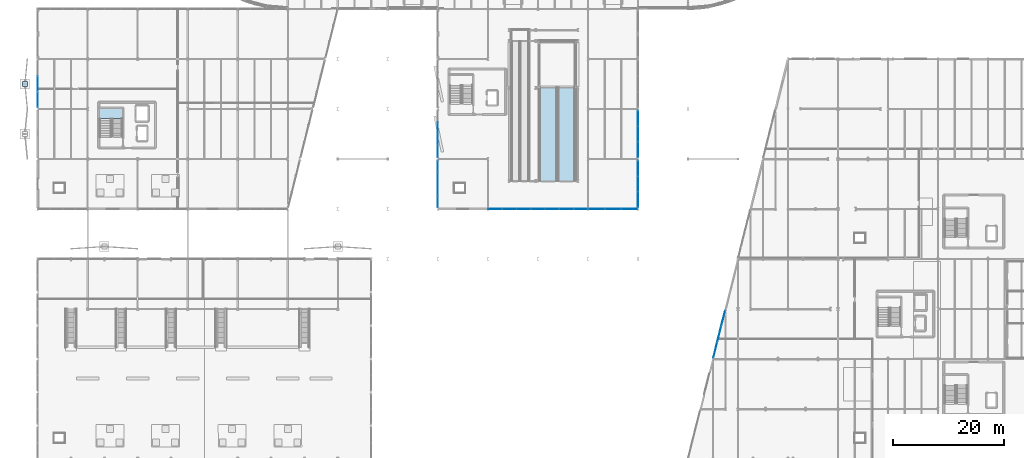
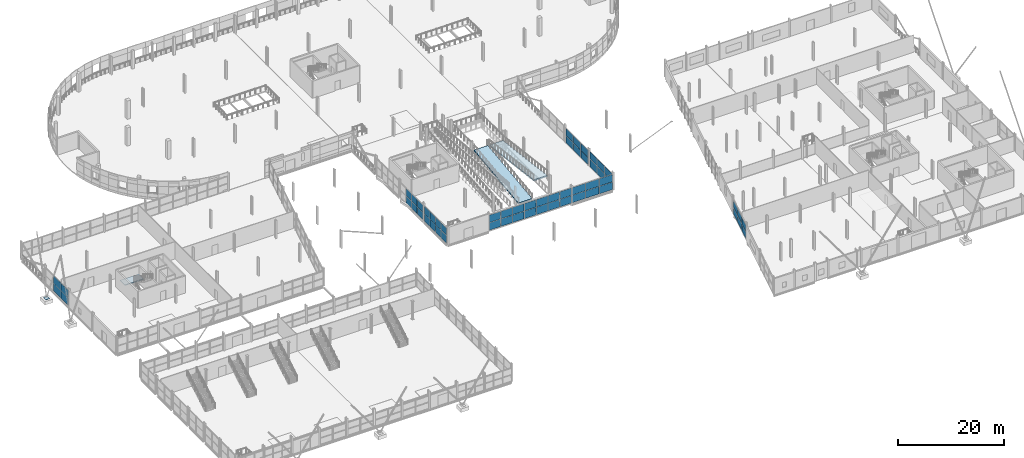
# One storey, part 104 of 140: 57 plates, 3 slabs, 9 elements without a shape of their own.
"""IFC4 building model written with IfcOpenShell, lengths in metres."""

from ifc_helpers import new_model, si_unit, direction, frame, origin, origin_2d, place, context, subcontext, project, spatial, polyline, rectangle, outline, extrude, material, layer, layer_set, type_object, element, aggregate, save


model = new_model("IFC4")

# Units and contexts
model_context = context("Model", 3, precision=1e-05, world=origin(), true_north=direction((0.0, 1.0)))
body_context = subcontext(model_context, "Body", "Model", "MODEL_VIEW")
ifc_project = project(units=[si_unit("LENGTHUNIT", "METRE"), si_unit("AREAUNIT", "SQUARE_METRE"), si_unit("VOLUMEUNIT", "CUBIC_METRE"), si_unit("PLANEANGLEUNIT", "RADIAN"), si_unit("MASSUNIT", "GRAM", prefix="KILO")], contexts=[model_context])

# Site, building, storey
site_placement = place(None, origin())
site = spatial("IfcSite", under=ifc_project, at=site_placement, CompositionType="ELEMENT")
building_placement = place(site_placement, origin())
building = spatial("IfcBuilding", under=site, at=building_placement, Name="Deido Ridge Mobility Hub", CompositionType="ELEMENT")
storey_placement = place(building_placement, origin())
storey = spatial("IfcBuildingStorey", under=building, at=storey_placement, Name="L00", CompositionType="ELEMENT", Elevation=0.0)

# Curtain wall, plates
ifc_material_1 = material(Name="Anodised aluminium EN AW-6063 T6", Category="aluminium")
ifc_layer_1 = layer(ifc_material_1, 0.14404296875, Name="Anodised aluminium EN AW-6063 T6")
ifc_layer_set_1 = layer_set([ifc_layer_1], Name="Anodised aluminium EN AW-6063 T6")
curtain_wall_type_1 = type_object("IfcCurtainWallType", Name="CW-GS-2", PredefinedType="USERDEFINED", material=ifc_layer_set_1)
curtain_wall_1_placement = place(storey_placement, origin())
curtain_wall_1 = element("IfcCurtainWall", 1, at=curtain_wall_1_placement, inside=storey, type_object=curtain_wall_type_1, Name="Unitised curtain wall GS2", ObjectType="GLAZED SCREEN", PredefinedType="USERDEFINED")
ifc_material_2 = material(Name="Laminated solar-control low-E glass", Category="glass")
ifc_layer_2 = layer(ifc_material_2, 0.029052734375, Name="Laminated solar-control low-E glass")
ifc_layer_set_2 = layer_set([ifc_layer_2], Name="Laminated solar-control low-E glass")
plate_type_1 = type_object("IfcPlateType", Name="PLT-CWP-29", PredefinedType="CURTAIN_PANEL", material=ifc_layer_set_2)
plate_1_placement = place(storey_placement, frame((82.3056640625, 45.0, 0.05517578125), z_axis=(0.0, 0.0, 1.0), x_axis=(1.0, 0.0, 0.0)))
plate_1 = element("IfcPlate", 2, at=plate_1_placement, type_object=plate_type_1, Name="GS2 panel 1.1", PredefinedType="CURTAIN_PANEL", context=body_context, shape_type="SweptSolid", body=[
    extrude(rectangle(XDim=2.48681640625, YDim=0.029052734375, at=origin_2d()), origin(), (0.0, 0.0, 1.0), 1.717529296875),
])
plate_2_placement = place(storey_placement, frame((82.3056640625, 45.0, 1.82763671875), z_axis=(0.0, 0.0, 1.0), x_axis=(1.0, 0.0, 0.0)))
plate_2 = element("IfcPlate", 3, at=plate_2_placement, type_object=plate_type_1, Name="GS2 panel 1.2", PredefinedType="CURTAIN_PANEL", context=body_context, shape_type="SweptSolid", body=[
    extrude(rectangle(XDim=2.48681640625, YDim=0.029052734375, at=origin_2d()), origin(), (0.0, 0.0, 1.0), 1.717529296875),
])
plate_3_placement = place(storey_placement, frame((84.861328125, 45.0, 0.05517578125), z_axis=(0.0, 0.0, 1.0), x_axis=(1.0, 0.0, 0.0)))
plate_3 = element("IfcPlate", 4, at=plate_3_placement, type_object=plate_type_1, Name="GS2 panel 2.1", PredefinedType="CURTAIN_PANEL", context=body_context, shape_type="SweptSolid", body=[
    extrude(rectangle(XDim=2.514404296875, YDim=0.029052734375, at=origin_2d()), origin(), (0.0, 0.0, 1.0), 1.717529296875),
])
plate_4_placement = place(storey_placement, frame((84.861328125, 45.0, 1.82763671875), z_axis=(0.0, 0.0, 1.0), x_axis=(1.0, 0.0, 0.0)))
plate_4 = element("IfcPlate", 5, at=plate_4_placement, type_object=plate_type_1, Name="GS2 panel 2.2", PredefinedType="CURTAIN_PANEL", context=body_context, shape_type="SweptSolid", body=[
    extrude(rectangle(XDim=2.514404296875, YDim=0.029052734375, at=origin_2d()), origin(), (0.0, 0.0, 1.0), 1.717529296875),
])
plate_5_placement = place(storey_placement, frame((87.4306640625, 45.0, 0.05517578125), z_axis=(0.0, 0.0, 1.0), x_axis=(1.0, 0.0, 0.0)))
plate_5 = element("IfcPlate", 6, at=plate_5_placement, type_object=plate_type_1, Name="GS2 panel 3.1", PredefinedType="CURTAIN_PANEL", context=body_context, shape_type="SweptSolid", body=[
    extrude(rectangle(XDim=2.514404296875, YDim=0.029052734375, at=origin_2d()), origin(), (0.0, 0.0, 1.0), 1.717529296875),
])
plate_6_placement = place(storey_placement, frame((87.4306640625, 45.0, 1.82763671875), z_axis=(0.0, 0.0, 1.0), x_axis=(1.0, 0.0, 0.0)))
plate_6 = element("IfcPlate", 7, at=plate_6_placement, type_object=plate_type_1, Name="GS2 panel 3.2", PredefinedType="CURTAIN_PANEL", context=body_context, shape_type="SweptSolid", body=[
    extrude(rectangle(XDim=2.514404296875, YDim=0.029052734375, at=origin_2d()), origin(), (0.0, 0.0, 1.0), 1.717529296875),
])
plate_7_placement = place(storey_placement, frame((90.0, 45.0, 0.05517578125), z_axis=(0.0, 0.0, 1.0), x_axis=(1.0, 0.0, 0.0)))
plate_7 = element("IfcPlate", 8, at=plate_7_placement, type_object=plate_type_1, Name="GS2 panel 4.1", PredefinedType="CURTAIN_PANEL", context=body_context, shape_type="SweptSolid", body=[
    extrude(rectangle(XDim=2.514404296875, YDim=0.029052734375, at=origin_2d()), origin(), (0.0, 0.0, 1.0), 1.717529296875),
])
plate_8_placement = place(storey_placement, frame((90.0, 45.0, 1.82763671875), z_axis=(0.0, 0.0, 1.0), x_axis=(1.0, 0.0, 0.0)))
plate_8 = element("IfcPlate", 9, at=plate_8_placement, type_object=plate_type_1, Name="GS2 panel 4.2", PredefinedType="CURTAIN_PANEL", context=body_context, shape_type="SweptSolid", body=[
    extrude(rectangle(XDim=2.514404296875, YDim=0.029052734375, at=origin_2d()), origin(), (0.0, 0.0, 1.0), 1.717529296875),
])
plate_9_placement = place(storey_placement, frame((92.5693359375, 45.0, 0.05517578125), z_axis=(0.0, 0.0, 1.0), x_axis=(1.0, 0.0, 0.0)))
plate_9 = element("IfcPlate", 10, at=plate_9_placement, type_object=plate_type_1, Name="GS2 panel 5.1", PredefinedType="CURTAIN_PANEL", context=body_context, shape_type="SweptSolid", body=[
    extrude(rectangle(XDim=2.514404296875, YDim=0.029052734375, at=origin_2d()), origin(), (0.0, 0.0, 1.0), 1.717529296875),
])
plate_10_placement = place(storey_placement, frame((92.5693359375, 45.0, 1.82763671875), z_axis=(0.0, 0.0, 1.0), x_axis=(1.0, 0.0, 0.0)))
plate_10 = element("IfcPlate", 11, at=plate_10_placement, type_object=plate_type_1, Name="GS2 panel 5.2", PredefinedType="CURTAIN_PANEL", context=body_context, shape_type="SweptSolid", body=[
    extrude(rectangle(XDim=2.514404296875, YDim=0.029052734375, at=origin_2d()), origin(), (0.0, 0.0, 1.0), 1.717529296875),
])
plate_11_placement = place(storey_placement, frame((95.138671875, 45.0, 0.05517578125), z_axis=(0.0, 0.0, 1.0), x_axis=(1.0, 0.0, 0.0)))
plate_11 = element("IfcPlate", 12, at=plate_11_placement, type_object=plate_type_1, Name="GS2 panel 6.1", PredefinedType="CURTAIN_PANEL", context=body_context, shape_type="SweptSolid", body=[
    extrude(rectangle(XDim=2.514404296875, YDim=0.029052734375, at=origin_2d()), origin(), (0.0, 0.0, 1.0), 1.717529296875),
])
plate_12_placement = place(storey_placement, frame((95.138671875, 45.0, 1.82763671875), z_axis=(0.0, 0.0, 1.0), x_axis=(1.0, 0.0, 0.0)))
plate_12 = element("IfcPlate", 13, at=plate_12_placement, type_object=plate_type_1, Name="GS2 panel 6.2", PredefinedType="CURTAIN_PANEL", context=body_context, shape_type="SweptSolid", body=[
    extrude(rectangle(XDim=2.514404296875, YDim=0.029052734375, at=origin_2d()), origin(), (0.0, 0.0, 1.0), 1.717529296875),
])
plate_13_placement = place(storey_placement, frame((97.6943359375, 45.0, 0.05517578125), z_axis=(0.0, 0.0, 1.0), x_axis=(1.0, 0.0, 0.0)))
plate_13 = element("IfcPlate", 14, at=plate_13_placement, type_object=plate_type_1, Name="GS2 panel 7.1", PredefinedType="CURTAIN_PANEL", context=body_context, shape_type="SweptSolid", body=[
    extrude(rectangle(XDim=2.48681640625, YDim=0.029052734375, at=origin_2d()), origin(), (0.0, 0.0, 1.0), 1.717529296875),
])
plate_14_placement = place(storey_placement, frame((97.6943359375, 45.0, 1.82763671875), z_axis=(0.0, 0.0, 1.0), x_axis=(1.0, 0.0, 0.0)))
plate_14 = element("IfcPlate", 15, at=plate_14_placement, type_object=plate_type_1, Name="GS2 panel 7.2", PredefinedType="CURTAIN_PANEL", context=body_context, shape_type="SweptSolid", body=[
    extrude(rectangle(XDim=2.48681640625, YDim=0.029052734375, at=origin_2d()), origin(), (0.0, 0.0, 1.0), 1.717529296875),
])
aggregate(curtain_wall_1, [plate_1, plate_2, plate_3, plate_4, plate_5, plate_6, plate_7, plate_8, plate_9, plate_10, plate_11, plate_12, plate_13, plate_14])

curtain_wall_2_placement = place(storey_placement, origin())
curtain_wall_2 = element("IfcCurtainWall", 16, at=curtain_wall_2_placement, inside=storey, type_object=curtain_wall_type_1, Name="Unitised curtain wall GS2", ObjectType="GLAZED SCREEN", PredefinedType="USERDEFINED")
plate_15_placement = place(storey_placement, frame((100.5185546875, 45.0, 0.05517578125), z_axis=(0.0, 0.0, 1.0), x_axis=(1.0, 0.0, 0.0)))
plate_15 = element("IfcPlate", 17, at=plate_15_placement, type_object=plate_type_1, Name="GS2 panel 1.1", PredefinedType="CURTAIN_PANEL", context=body_context, shape_type="SweptSolid", body=[
    extrude(rectangle(XDim=2.91259765625, YDim=0.029052734375, at=origin_2d()), origin(), (0.0, 0.0, 1.0), 1.717529296875),
])
plate_16_placement = place(storey_placement, frame((100.5185546875, 45.0, 1.82763671875), z_axis=(0.0, 0.0, 1.0), x_axis=(1.0, 0.0, 0.0)))
plate_16 = element("IfcPlate", 18, at=plate_16_placement, type_object=plate_type_1, Name="GS2 panel 1.2", PredefinedType="CURTAIN_PANEL", context=body_context, shape_type="SweptSolid", body=[
    extrude(rectangle(XDim=2.91259765625, YDim=0.029052734375, at=origin_2d()), origin(), (0.0, 0.0, 1.0), 1.717529296875),
])
plate_17_placement = place(storey_placement, frame((103.5, 45.0, 0.05517578125), z_axis=(0.0, 0.0, 1.0), x_axis=(1.0, 0.0, 0.0)))
plate_17 = element("IfcPlate", 19, at=plate_17_placement, type_object=plate_type_1, Name="GS2 panel 2.1", PredefinedType="CURTAIN_PANEL", context=body_context, shape_type="SweptSolid", body=[
    extrude(rectangle(XDim=2.940185546875, YDim=0.029052734375, at=origin_2d()), origin(), (0.0, 0.0, 1.0), 1.717529296875),
])
plate_18_placement = place(storey_placement, frame((103.5, 45.0, 1.82763671875), z_axis=(0.0, 0.0, 1.0), x_axis=(1.0, 0.0, 0.0)))
plate_18 = element("IfcPlate", 20, at=plate_18_placement, type_object=plate_type_1, Name="GS2 panel 2.2", PredefinedType="CURTAIN_PANEL", context=body_context, shape_type="SweptSolid", body=[
    extrude(rectangle(XDim=2.940185546875, YDim=0.029052734375, at=origin_2d()), origin(), (0.0, 0.0, 1.0), 1.717529296875),
])
plate_19_placement = place(storey_placement, frame((106.4814453125, 45.0, 0.05517578125), z_axis=(0.0, 0.0, 1.0), x_axis=(1.0, 0.0, 0.0)))
plate_19 = element("IfcPlate", 21, at=plate_19_placement, type_object=plate_type_1, Name="GS2 panel 3.1", PredefinedType="CURTAIN_PANEL", context=body_context, shape_type="SweptSolid", body=[
    extrude(rectangle(XDim=2.91259765625, YDim=0.029052734375, at=origin_2d()), origin(), (0.0, 0.0, 1.0), 1.717529296875),
])
plate_20_placement = place(storey_placement, frame((106.4814453125, 45.0, 1.82763671875), z_axis=(0.0, 0.0, 1.0), x_axis=(1.0, 0.0, 0.0)))
plate_20 = element("IfcPlate", 22, at=plate_20_placement, type_object=plate_type_1, Name="GS2 panel 3.2", PredefinedType="CURTAIN_PANEL", context=body_context, shape_type="SweptSolid", body=[
    extrude(rectangle(XDim=2.91259765625, YDim=0.029052734375, at=origin_2d()), origin(), (0.0, 0.0, 1.0), 1.717529296875),
])
aggregate(curtain_wall_2, [plate_15, plate_16, plate_17, plate_18, plate_19, plate_20])

ifc_layer_3 = layer(ifc_material_1, 0.195068359375, Name="Anodised aluminium EN AW-6063 T6")
ifc_layer_set_3 = layer_set([ifc_layer_3], Name="Anodised aluminium EN AW-6063 T6")
curtain_wall_type_2 = type_object("IfcCurtainWallType", Name="CW-UF-3", PredefinedType="USERDEFINED", material=ifc_layer_set_3)
curtain_wall_3_placement = place(storey_placement, origin())
curtain_wall_3 = element("IfcCurtainWall", 23, at=curtain_wall_3_placement, inside=storey, type_object=curtain_wall_type_2, Name="Unitised curtain wall CW3", ObjectType="UNITISED FACADE", PredefinedType="USERDEFINED")
ifc_layer_4 = layer(ifc_material_2, 0.031005859375, Name="Laminated solar-control low-E glass")
ifc_layer_set_4 = layer_set([ifc_layer_4], Name="Laminated solar-control low-E glass")
plate_type_2 = type_object("IfcPlateType", Name="PLT-CWP-31", PredefinedType="CURTAIN_PANEL", material=ifc_layer_set_4)
plate_21_placement = place(storey_placement, frame((0.0, 64.681640625, 0.06005859375), z_axis=(0.0, 0.0, 1.0), x_axis=(0.0, 1.0, 0.0)))
plate_21 = element("IfcPlate", 24, at=plate_21_placement, type_object=plate_type_2, Name="CW3 panel 1.1", PredefinedType="CURTAIN_PANEL", context=body_context, shape_type="SweptSolid", body=[
    extrude(rectangle(XDim=2.743408203125, YDim=0.031005859375, at=origin_2d()), origin(), (0.0, 0.0, 1.0), 1.7099609375),
])
plate_22_placement = place(storey_placement, frame((0.0, 64.681640625, 1.830078125), z_axis=(0.0, 0.0, 1.0), x_axis=(0.0, 1.0, 0.0)))
plate_22 = element("IfcPlate", 25, at=plate_22_placement, type_object=plate_type_2, Name="CW3 panel 1.2", PredefinedType="CURTAIN_PANEL", context=body_context, shape_type="SweptSolid", body=[
    extrude(rectangle(XDim=2.743408203125, YDim=0.031005859375, at=origin_2d()), origin(), (0.0, 0.0, 1.0), 1.7099609375),
])
plate_23_placement = place(storey_placement, frame((0.0, 67.5, 0.06005859375), z_axis=(0.0, 0.0, 1.0), x_axis=(0.0, 1.0, 0.0)))
plate_23 = element("IfcPlate", 26, at=plate_23_placement, type_object=plate_type_2, Name="CW3 panel 2.1", PredefinedType="CURTAIN_PANEL", context=body_context, shape_type="SweptSolid", body=[
    extrude(rectangle(XDim=2.7734375, YDim=0.031005859375, at=origin_2d()), origin(), (0.0, 0.0, 1.0), 1.7099609375),
])
plate_24_placement = place(storey_placement, frame((0.0, 67.5, 1.830078125), z_axis=(0.0, 0.0, 1.0), x_axis=(0.0, 1.0, 0.0)))
plate_24 = element("IfcPlate", 27, at=plate_24_placement, type_object=plate_type_2, Name="CW3 panel 2.2", PredefinedType="CURTAIN_PANEL", context=body_context, shape_type="SweptSolid", body=[
    extrude(rectangle(XDim=2.7734375, YDim=0.031005859375, at=origin_2d()), origin(), (0.0, 0.0, 1.0), 1.7099609375),
])
aggregate(curtain_wall_3, [plate_21, plate_22, plate_23, plate_24])

ifc_layer_5 = layer(ifc_material_1, 0.1650390625, Name="Anodised aluminium EN AW-6063 T6")
ifc_layer_set_5 = layer_set([ifc_layer_5], Name="Anodised aluminium EN AW-6063 T6")
curtain_wall_type_3 = type_object("IfcCurtainWallType", Name="CW-UF-1", PredefinedType="USERDEFINED", material=ifc_layer_set_5)
curtain_wall_4_placement = place(storey_placement, origin())
curtain_wall_4 = element("IfcCurtainWall", 28, at=curtain_wall_4_placement, inside=storey, type_object=curtain_wall_type_3, Name="Unitised curtain wall CW1", ObjectType="UNITISED FACADE", PredefinedType="USERDEFINED")
plate_25_placement = place(storey_placement, frame((72.0, 46.327392578125, 0.06005859375), z_axis=(0.0, 0.0, 1.0), x_axis=(0.0, 1.0, 0.0)))
plate_25 = element("IfcPlate", 29, at=plate_25_placement, type_object=plate_type_2, Name="CW1 panel 1.1", PredefinedType="CURTAIN_PANEL", context=body_context, shape_type="SweptSolid", body=[
    extrude(rectangle(XDim=2.034912109375, YDim=0.031005859375, at=origin_2d()), origin(), (0.0, 0.0, 1.0), 1.7099609375),
])
plate_26_placement = place(storey_placement, frame((72.0, 46.327392578125, 1.830078125), z_axis=(0.0, 0.0, 1.0), x_axis=(0.0, 1.0, 0.0)))
plate_26 = element("IfcPlate", 30, at=plate_26_placement, type_object=plate_type_2, Name="CW1 panel 1.2", PredefinedType="CURTAIN_PANEL", context=body_context, shape_type="SweptSolid", body=[
    extrude(rectangle(XDim=2.034912109375, YDim=0.031005859375, at=origin_2d()), origin(), (0.0, 0.0, 1.0), 1.7099609375),
])
plate_27_placement = place(storey_placement, frame((72.0, 48.4375, 0.06005859375), z_axis=(0.0, 0.0, 1.0), x_axis=(0.0, 1.0, 0.0)))
plate_27 = element("IfcPlate", 31, at=plate_27_placement, type_object=plate_type_2, Name="CW1 panel 2.1", PredefinedType="CURTAIN_PANEL", context=body_context, shape_type="SweptSolid", body=[
    extrude(rectangle(XDim=2.06494140625, YDim=0.031005859375, at=origin_2d()), origin(), (0.0, 0.0, 1.0), 1.7099609375),
])
plate_28_placement = place(storey_placement, frame((72.0, 48.4375, 1.830078125), z_axis=(0.0, 0.0, 1.0), x_axis=(0.0, 1.0, 0.0)))
plate_28 = element("IfcPlate", 32, at=plate_28_placement, type_object=plate_type_2, Name="CW1 panel 2.2", PredefinedType="CURTAIN_PANEL", context=body_context, shape_type="SweptSolid", body=[
    extrude(rectangle(XDim=2.06494140625, YDim=0.031005859375, at=origin_2d()), origin(), (0.0, 0.0, 1.0), 1.7099609375),
])
plate_29_placement = place(storey_placement, frame((72.0, 50.5625, 0.06005859375), z_axis=(0.0, 0.0, 1.0), x_axis=(0.0, 1.0, 0.0)))
plate_29 = element("IfcPlate", 33, at=plate_29_placement, type_object=plate_type_2, Name="CW1 panel 3.1", PredefinedType="CURTAIN_PANEL", context=body_context, shape_type="SweptSolid", body=[
    extrude(rectangle(XDim=2.06494140625, YDim=0.031005859375, at=origin_2d()), origin(), (0.0, 0.0, 1.0), 1.7099609375),
])
plate_30_placement = place(storey_placement, frame((72.0, 50.5625, 1.830078125), z_axis=(0.0, 0.0, 1.0), x_axis=(0.0, 1.0, 0.0)))
plate_30 = element("IfcPlate", 34, at=plate_30_placement, type_object=plate_type_2, Name="CW1 panel 3.2", PredefinedType="CURTAIN_PANEL", context=body_context, shape_type="SweptSolid", body=[
    extrude(rectangle(XDim=2.06494140625, YDim=0.031005859375, at=origin_2d()), origin(), (0.0, 0.0, 1.0), 1.7099609375),
])
plate_31_placement = place(storey_placement, frame((72.0, 52.672607421875, 0.06005859375), z_axis=(0.0, 0.0, 1.0), x_axis=(0.0, 1.0, 0.0)))
plate_31 = element("IfcPlate", 35, at=plate_31_placement, type_object=plate_type_2, Name="CW1 panel 4.1", PredefinedType="CURTAIN_PANEL", context=body_context, shape_type="SweptSolid", body=[
    extrude(rectangle(XDim=2.034912109375, YDim=0.031005859375, at=origin_2d()), origin(), (0.0, 0.0, 1.0), 1.7099609375),
])
plate_32_placement = place(storey_placement, frame((72.0, 52.672607421875, 1.830078125), z_axis=(0.0, 0.0, 1.0), x_axis=(0.0, 1.0, 0.0)))
plate_32 = element("IfcPlate", 36, at=plate_32_placement, type_object=plate_type_2, Name="CW1 panel 4.2", PredefinedType="CURTAIN_PANEL", context=body_context, shape_type="SweptSolid", body=[
    extrude(rectangle(XDim=2.034912109375, YDim=0.031005859375, at=origin_2d()), origin(), (0.0, 0.0, 1.0), 1.7099609375),
])
aggregate(curtain_wall_4, [plate_25, plate_26, plate_27, plate_28, plate_29, plate_30, plate_31, plate_32])

curtain_wall_5_placement = place(storey_placement, origin())
curtain_wall_5 = element("IfcCurtainWall", 37, at=curtain_wall_5_placement, inside=storey, type_object=curtain_wall_type_3, Name="Unitised curtain wall CW1", ObjectType="UNITISED FACADE", PredefinedType="USERDEFINED")
plate_33_placement = place(storey_placement, frame((72.0, 55.327392578125, 0.06005859375), z_axis=(0.0, 0.0, 1.0), x_axis=(0.0, 1.0, 0.0)))
plate_33 = element("IfcPlate", 38, at=plate_33_placement, type_object=plate_type_2, Name="CW1 panel 1.1", PredefinedType="CURTAIN_PANEL", context=body_context, shape_type="SweptSolid", body=[
    extrude(rectangle(XDim=2.034912109375, YDim=0.031005859375, at=origin_2d()), origin(), (0.0, 0.0, 1.0), 1.6474609375),
])
plate_34_placement = place(storey_placement, frame((72.0, 55.327392578125, 1.767578125), z_axis=(0.0, 0.0, 1.0), x_axis=(0.0, 1.0, 0.0)))
plate_34 = element("IfcPlate", 39, at=plate_34_placement, type_object=plate_type_2, Name="CW1 panel 1.2", PredefinedType="CURTAIN_PANEL", context=body_context, shape_type="SweptSolid", body=[
    extrude(rectangle(XDim=2.034912109375, YDim=0.031005859375, at=origin_2d()), origin(), (0.0, 0.0, 1.0), 1.6474609375),
])
plate_35_placement = place(storey_placement, frame((72.0, 57.4375, 0.06005859375), z_axis=(0.0, 0.0, 1.0), x_axis=(0.0, 1.0, 0.0)))
plate_35 = element("IfcPlate", 40, at=plate_35_placement, type_object=plate_type_2, Name="CW1 panel 2.1", PredefinedType="CURTAIN_PANEL", context=body_context, shape_type="SweptSolid", body=[
    extrude(rectangle(XDim=2.06494140625, YDim=0.031005859375, at=origin_2d()), origin(), (0.0, 0.0, 1.0), 1.6474609375),
])
plate_36_placement = place(storey_placement, frame((72.0, 57.4375, 1.767578125), z_axis=(0.0, 0.0, 1.0), x_axis=(0.0, 1.0, 0.0)))
plate_36 = element("IfcPlate", 41, at=plate_36_placement, type_object=plate_type_2, Name="CW1 panel 2.2", PredefinedType="CURTAIN_PANEL", context=body_context, shape_type="SweptSolid", body=[
    extrude(rectangle(XDim=2.06494140625, YDim=0.031005859375, at=origin_2d()), origin(), (0.0, 0.0, 1.0), 1.6474609375),
])
plate_37_placement = place(storey_placement, frame((72.0, 59.5625, 0.06005859375), z_axis=(0.0, 0.0, 1.0), x_axis=(0.0, 1.0, 0.0)))
plate_37 = element("IfcPlate", 42, at=plate_37_placement, type_object=plate_type_2, Name="CW1 panel 3.1", PredefinedType="CURTAIN_PANEL", context=body_context, shape_type="SweptSolid", body=[
    extrude(rectangle(XDim=2.06494140625, YDim=0.031005859375, at=origin_2d()), origin(), (0.0, 0.0, 1.0), 1.6474609375),
])
plate_38_placement = place(storey_placement, frame((72.0, 59.5625, 1.767578125), z_axis=(0.0, 0.0, 1.0), x_axis=(0.0, 1.0, 0.0)))
plate_38 = element("IfcPlate", 43, at=plate_38_placement, type_object=plate_type_2, Name="CW1 panel 3.2", PredefinedType="CURTAIN_PANEL", context=body_context, shape_type="SweptSolid", body=[
    extrude(rectangle(XDim=2.06494140625, YDim=0.031005859375, at=origin_2d()), origin(), (0.0, 0.0, 1.0), 1.6474609375),
])
aggregate(curtain_wall_5, [plate_33, plate_34, plate_35, plate_36, plate_37, plate_38])

ifc_layer_6 = layer(ifc_material_1, 0.2099609375, Name="Anodised aluminium EN AW-6063 T6")
ifc_layer_set_6 = layer_set([ifc_layer_6], Name="Anodised aluminium EN AW-6063 T6")
curtain_wall_type_4 = type_object("IfcCurtainWallType", Name="CW-UF-4", PredefinedType="USERDEFINED", material=ifc_layer_set_6)
curtain_wall_6_placement = place(storey_placement, origin())
curtain_wall_6 = element("IfcCurtainWall", 44, at=curtain_wall_6_placement, inside=storey, type_object=curtain_wall_type_4, Name="Unitised curtain wall CW4", ObjectType="UNITISED FACADE", PredefinedType="USERDEFINED")
ifc_layer_7 = layer(ifc_material_2, 0.037109375, Name="Laminated solar-control low-E glass")
ifc_layer_set_7 = layer_set([ifc_layer_7], Name="Laminated solar-control low-E glass")
plate_type_3 = type_object("IfcPlateType", Name="PLT-CWP-37", PredefinedType="CURTAIN_PANEL", material=ifc_layer_set_7)
plate_39_placement = place(storey_placement, frame((108.0, 46.685302734375, 0.074951171875), z_axis=(0.0, 0.0, 1.0), x_axis=(0.0, 1.0, 0.0)))
plate_39 = element("IfcPlate", 45, at=plate_39_placement, type_object=plate_type_3, Name="CW4 panel 1.1", PredefinedType="CURTAIN_PANEL", context=body_context, shape_type="SweptSolid", body=[
    extrude(rectangle(XDim=2.720947265625, YDim=0.037109375, at=origin_2d()), origin(), (0.0, 0.0, 1.0), 1.6875),
])
plate_40_placement = place(storey_placement, frame((108.0, 46.685302734375, 1.83740234375), z_axis=(0.0, 0.0, 1.0), x_axis=(0.0, 1.0, 0.0)))
plate_40 = element("IfcPlate", 46, at=plate_40_placement, type_object=plate_type_3, Name="CW4 panel 1.2", PredefinedType="CURTAIN_PANEL", context=body_context, shape_type="SweptSolid", body=[
    extrude(rectangle(XDim=2.720947265625, YDim=0.037109375, at=origin_2d()), origin(), (0.0, 0.0, 1.0), 1.6875),
])
plate_41_placement = place(storey_placement, frame((108.0, 49.5, 0.074951171875), z_axis=(0.0, 0.0, 1.0), x_axis=(0.0, 1.0, 0.0)))
plate_41 = element("IfcPlate", 47, at=plate_41_placement, type_object=plate_type_3, Name="CW4 panel 2.1", PredefinedType="CURTAIN_PANEL", context=body_context, shape_type="SweptSolid", body=[
    extrude(rectangle(XDim=2.75830078125, YDim=0.037109375, at=origin_2d()), origin(), (0.0, 0.0, 1.0), 1.6875),
])
plate_42_placement = place(storey_placement, frame((108.0, 49.5, 1.83740234375), z_axis=(0.0, 0.0, 1.0), x_axis=(0.0, 1.0, 0.0)))
plate_42 = element("IfcPlate", 48, at=plate_42_placement, type_object=plate_type_3, Name="CW4 panel 2.2", PredefinedType="CURTAIN_PANEL", context=body_context, shape_type="SweptSolid", body=[
    extrude(rectangle(XDim=2.75830078125, YDim=0.037109375, at=origin_2d()), origin(), (0.0, 0.0, 1.0), 1.6875),
])
plate_43_placement = place(storey_placement, frame((108.0, 52.314697265625, 0.074951171875), z_axis=(0.0, 0.0, 1.0), x_axis=(0.0, 1.0, 0.0)))
plate_43 = element("IfcPlate", 49, at=plate_43_placement, type_object=plate_type_3, Name="CW4 panel 3.1", PredefinedType="CURTAIN_PANEL", context=body_context, shape_type="SweptSolid", body=[
    extrude(rectangle(XDim=2.720947265625, YDim=0.037109375, at=origin_2d()), origin(), (0.0, 0.0, 1.0), 1.6875),
])
plate_44_placement = place(storey_placement, frame((108.0, 52.314697265625, 1.83740234375), z_axis=(0.0, 0.0, 1.0), x_axis=(0.0, 1.0, 0.0)))
plate_44 = element("IfcPlate", 50, at=plate_44_placement, type_object=plate_type_3, Name="CW4 panel 3.2", PredefinedType="CURTAIN_PANEL", context=body_context, shape_type="SweptSolid", body=[
    extrude(rectangle(XDim=2.720947265625, YDim=0.037109375, at=origin_2d()), origin(), (0.0, 0.0, 1.0), 1.6875),
])
aggregate(curtain_wall_6, [plate_39, plate_40, plate_41, plate_42, plate_43, plate_44])

curtain_wall_7_placement = place(storey_placement, origin())
curtain_wall_7 = element("IfcCurtainWall", 51, at=curtain_wall_7_placement, inside=storey, type_object=curtain_wall_type_4, Name="Unitised curtain wall CW4", ObjectType="UNITISED FACADE", PredefinedType="USERDEFINED")
plate_45_placement = place(storey_placement, frame((108.0, 55.685302734375, 0.074951171875), z_axis=(0.0, 0.0, 1.0), x_axis=(0.0, 1.0, 0.0)))
plate_45 = element("IfcPlate", 52, at=plate_45_placement, type_object=plate_type_3, Name="CW4 panel 1.1", PredefinedType="CURTAIN_PANEL", context=body_context, shape_type="SweptSolid", body=[
    extrude(rectangle(XDim=2.720947265625, YDim=0.037109375, at=origin_2d()), origin(), (0.0, 0.0, 1.0), 1.625),
])
plate_46_placement = place(storey_placement, frame((108.0, 55.685302734375, 1.77490234375), z_axis=(0.0, 0.0, 1.0), x_axis=(0.0, 1.0, 0.0)))
plate_46 = element("IfcPlate", 53, at=plate_46_placement, type_object=plate_type_3, Name="CW4 panel 1.2", PredefinedType="CURTAIN_PANEL", context=body_context, shape_type="SweptSolid", body=[
    extrude(rectangle(XDim=2.720947265625, YDim=0.037109375, at=origin_2d()), origin(), (0.0, 0.0, 1.0), 1.625),
])
plate_47_placement = place(storey_placement, frame((108.0, 58.5, 0.074951171875), z_axis=(0.0, 0.0, 1.0), x_axis=(0.0, 1.0, 0.0)))
plate_47 = element("IfcPlate", 54, at=plate_47_placement, type_object=plate_type_3, Name="CW4 panel 2.1", PredefinedType="CURTAIN_PANEL", context=body_context, shape_type="SweptSolid", body=[
    extrude(rectangle(XDim=2.75830078125, YDim=0.037109375, at=origin_2d()), origin(), (0.0, 0.0, 1.0), 1.625),
])
plate_48_placement = place(storey_placement, frame((108.0, 58.5, 1.77490234375), z_axis=(0.0, 0.0, 1.0), x_axis=(0.0, 1.0, 0.0)))
plate_48 = element("IfcPlate", 55, at=plate_48_placement, type_object=plate_type_3, Name="CW4 panel 2.2", PredefinedType="CURTAIN_PANEL", context=body_context, shape_type="SweptSolid", body=[
    extrude(rectangle(XDim=2.75830078125, YDim=0.037109375, at=origin_2d()), origin(), (0.0, 0.0, 1.0), 1.625),
])
plate_49_placement = place(storey_placement, frame((108.0, 61.314697265625, 0.074951171875), z_axis=(0.0, 0.0, 1.0), x_axis=(0.0, 1.0, 0.0)))
plate_49 = element("IfcPlate", 56, at=plate_49_placement, type_object=plate_type_3, Name="CW4 panel 3.1", PredefinedType="CURTAIN_PANEL", context=body_context, shape_type="SweptSolid", body=[
    extrude(rectangle(XDim=2.720947265625, YDim=0.037109375, at=origin_2d()), origin(), (0.0, 0.0, 1.0), 1.625),
])
plate_50_placement = place(storey_placement, frame((108.0, 61.314697265625, 1.77490234375), z_axis=(0.0, 0.0, 1.0), x_axis=(0.0, 1.0, 0.0)))
plate_50 = element("IfcPlate", 57, at=plate_50_placement, type_object=plate_type_3, Name="CW4 panel 3.2", PredefinedType="CURTAIN_PANEL", context=body_context, shape_type="SweptSolid", body=[
    extrude(rectangle(XDim=2.720947265625, YDim=0.037109375, at=origin_2d()), origin(), (0.0, 0.0, 1.0), 1.625),
])
aggregate(curtain_wall_7, [plate_45, plate_46, plate_47, plate_48, plate_49, plate_50])

ifc_layer_8 = layer(ifc_material_1, 0.27001953125, Name="Anodised aluminium EN AW-6063 T6")
ifc_layer_set_8 = layer_set([ifc_layer_8], Name="Anodised aluminium EN AW-6063 T6")
curtain_wall_type_5 = type_object("IfcCurtainWallType", Name="CW-UF-8", PredefinedType="USERDEFINED", material=ifc_layer_set_8)
curtain_wall_8_placement = place(storey_placement, origin())
curtain_wall_8 = element("IfcCurtainWall", 58, at=curtain_wall_8_placement, inside=storey, type_object=curtain_wall_type_5, Name="Unitised curtain wall CW8", ObjectType="UNITISED FACADE", PredefinedType="USERDEFINED")
ifc_layer_9 = layer(ifc_material_2, 0.0390625, Name="Laminated solar-control low-E glass")
ifc_layer_set_9 = layer_set([ifc_layer_9], Name="Laminated solar-control low-E glass")
plate_type_4 = type_object("IfcPlateType", Name="PLT-CWP-39", PredefinedType="CURTAIN_PANEL", material=ifc_layer_set_9)
plate_51_placement = place(storey_placement, frame((121.9140625, 19.65576171875, 0.080078125), z_axis=(0.0, 0.0, 1.0), x_axis=(0.242530310632, 0.970143828731, 0.0)))
plate_51 = element("IfcPlate", 59, at=plate_51_placement, type_object=plate_type_4, Name="CW8 panel 1.1", PredefinedType="CURTAIN_PANEL", context=body_context, shape_type="SweptSolid", body=[
    extrude(rectangle(XDim=2.83154296875, YDim=0.0390625, at=origin_2d()), origin(), (0.0, 0.0, 1.0), 1.54248046875),
])
plate_52_placement = place(storey_placement, frame((121.9140625, 19.65576171875, 1.702392578125), z_axis=(0.0, 0.0, 1.0), x_axis=(0.242530310632, 0.970143828731, 0.0)))
plate_52 = element("IfcPlate", 60, at=plate_52_placement, type_object=plate_type_4, Name="CW8 panel 1.2", PredefinedType="CURTAIN_PANEL", context=body_context, shape_type="SweptSolid", body=[
    extrude(rectangle(XDim=2.83154296875, YDim=0.0390625, at=origin_2d()), origin(), (0.0, 0.0, 1.0), 1.54248046875),
])
plate_53_placement = place(storey_placement, frame((122.625, 22.5, 0.080078125), z_axis=(0.0, 0.0, 1.0), x_axis=(0.242530310632, 0.970143828731, 0.0)))
plate_53 = element("IfcPlate", 61, at=plate_53_placement, type_object=plate_type_4, Name="CW8 panel 2.1", PredefinedType="CURTAIN_PANEL", context=body_context, shape_type="SweptSolid", body=[
    extrude(rectangle(XDim=2.87158203125, YDim=0.0390625, at=origin_2d()), origin(), (0.0, 0.0, 1.0), 1.54248046875),
])
plate_54_placement = place(storey_placement, frame((122.625, 22.5, 1.702392578125), z_axis=(0.0, 0.0, 1.0), x_axis=(0.242530310632, 0.970143828731, 0.0)))
plate_54 = element("IfcPlate", 62, at=plate_54_placement, type_object=plate_type_4, Name="CW8 panel 2.2", PredefinedType="CURTAIN_PANEL", context=body_context, shape_type="SweptSolid", body=[
    extrude(rectangle(XDim=2.87158203125, YDim=0.0390625, at=origin_2d()), origin(), (0.0, 0.0, 1.0), 1.54248046875),
])
plate_55_placement = place(storey_placement, frame((123.3359375, 25.34423828125, 0.080078125), z_axis=(0.0, 0.0, 1.0), x_axis=(0.242530310632, 0.970143828731, 0.0)))
plate_55 = element("IfcPlate", 63, at=plate_55_placement, type_object=plate_type_4, Name="CW8 panel 3.1", PredefinedType="CURTAIN_PANEL", context=body_context, shape_type="SweptSolid", body=[
    extrude(rectangle(XDim=2.83154296875, YDim=0.0390625, at=origin_2d()), origin(), (0.0, 0.0, 1.0), 1.54248046875),
])
plate_56_placement = place(storey_placement, frame((123.3359375, 25.34423828125, 1.702392578125), z_axis=(0.0, 0.0, 1.0), x_axis=(0.242530310632, 0.970143828731, 0.0)))
plate_56 = element("IfcPlate", 64, at=plate_56_placement, type_object=plate_type_4, Name="CW8 panel 3.2", PredefinedType="CURTAIN_PANEL", context=body_context, shape_type="SweptSolid", body=[
    extrude(rectangle(XDim=2.83154296875, YDim=0.0390625, at=origin_2d()), origin(), (0.0, 0.0, 1.0), 1.54248046875),
])
aggregate(curtain_wall_8, [plate_51, plate_52, plate_53, plate_54, plate_55, plate_56])

# Plate
ifc_material_3 = material(Name="Steel S355J2 EN 10025-2", Category="steel")
ifc_layer_10 = layer(ifc_material_3, 0.0400390625, Name="Steel S355J2 EN 10025-2")
ifc_layer_set_10 = layer_set([ifc_layer_10], Name="Steel S355J2 EN 10025-2")
plate_type_5 = type_object("IfcPlateType", Name="PLT-SHT-40", PredefinedType="SHEET", material=ifc_layer_set_10)
plate_57_placement = place(storey_placement, frame((-2.300048828125, 67.5, 0.0), z_axis=(0.0, 0.0, 1.0), x_axis=(1.0, 0.0, 0.0)))
element("IfcPlate", 65, at=plate_57_placement, inside=storey, type_object=plate_type_5, Name="Exoskeleton V-strut base plate BP2 123", PredefinedType="SHEET", context=body_context, shape_type="SweptSolid", body=[
    extrude(rectangle(XDim=0.89990234375, YDim=0.89990234375, at=origin_2d()), origin(), (0.0, 0.0, 1.0), 0.0400390625),
])

# Slabs
ifc_material_4 = material(Name="Concrete C35/45", Category="concrete")
ifc_layer_11 = layer(ifc_material_4, 0.280029296875, Name="Concrete C35/45")
ifc_layer_set_11 = layer_set([ifc_layer_11], Name="Concrete C35/45")
slab_type_1 = type_object("IfcSlabType", Name="SLB-RMP-280", PredefinedType="FLOOR", material=ifc_layer_set_11)
slab_1_placement = place(storey_placement, frame((90.35009765625, 50.050048828125, 0.0), z_axis=(0.0, -0.124772000601, 0.992185440261), x_axis=(1.0, 0.0, 0.0)))
element("IfcSlab", 66, at=slab_1_placement, inside=storey, type_object=slab_type_1, Name="Vehicle ramp structural slab VR1 L00-1", PredefinedType="FLOOR", context=body_context, shape_type="SweptSolid", body=[
    extrude(outline(polyline([(0.0, 0.0), (3.0, 0.0), (3.0, 16.831481791832708), (0.0, 16.831481791832708), (0.0, 0.0)])), origin(), (0.0, 0.0, -1.0), 0.280029296875),
])
slab_2_placement = place(storey_placement, frame((93.64990234375, 66.75, 2.10009765625), z_axis=(0.0, 0.124757721378, 0.992187235836), x_axis=(1.0, 0.0, 0.0)))
element("IfcSlab", 67, at=slab_2_placement, inside=storey, type_object=slab_type_1, Name="Vehicle ramp structural slab VR1 L00-2", PredefinedType="FLOOR", context=body_context, shape_type="SweptSolid", body=[
    extrude(outline(polyline([(0.0, 0.0), (3.0, 0.0), (3.0, -16.831451331661565), (0.0, -16.831451331661565), (0.0, 0.0)])), origin(), (0.0, 0.0, -1.0), 0.280029296875),
])

# Stair, slab
stair_type = type_object("IfcStairType", Name="ST-CORE-HALF-1520", PredefinedType="HALF_TURN_STAIR", material=ifc_material_4)
stair_placement = place(storey_placement, origin())
stair = element("IfcStair", 68, at=stair_placement, inside=storey, type_object=stair_type, Name="Protected exit stair ST6 (L00)", PredefinedType="HALF_TURN_STAIR")
ifc_layer_12 = layer(ifc_material_4, 0.199951171875, Name="Concrete C35/45")
ifc_layer_set_12 = layer_set([ifc_layer_12], Name="Concrete C35/45")
slab_type_2 = type_object("IfcSlabType", Name="SLB-STLND-200", PredefinedType="LANDING", material=ifc_layer_set_12)
slab_3_placement = place(storey_placement, frame((0.0, 0.0, 1.89990234375)))
slab_3 = element("IfcSlab", 69, at=slab_3_placement, type_object=slab_type_2, Name="ST6 landing 1", PredefinedType="LANDING", context=body_context, shape_type="SweptSolid", body=[
    extrude(outline(polyline([(11.14990234375, 61.25), (15.235107421875, 61.25), (15.235107421875, 63.074951171875), (11.14990234375, 63.074951171875), (11.14990234375, 61.25)])), origin(), (0.0, 0.0, 1.0), 0.2001953125),
])
aggregate(stair, [slab_3])

save(model, "model.ifc")
